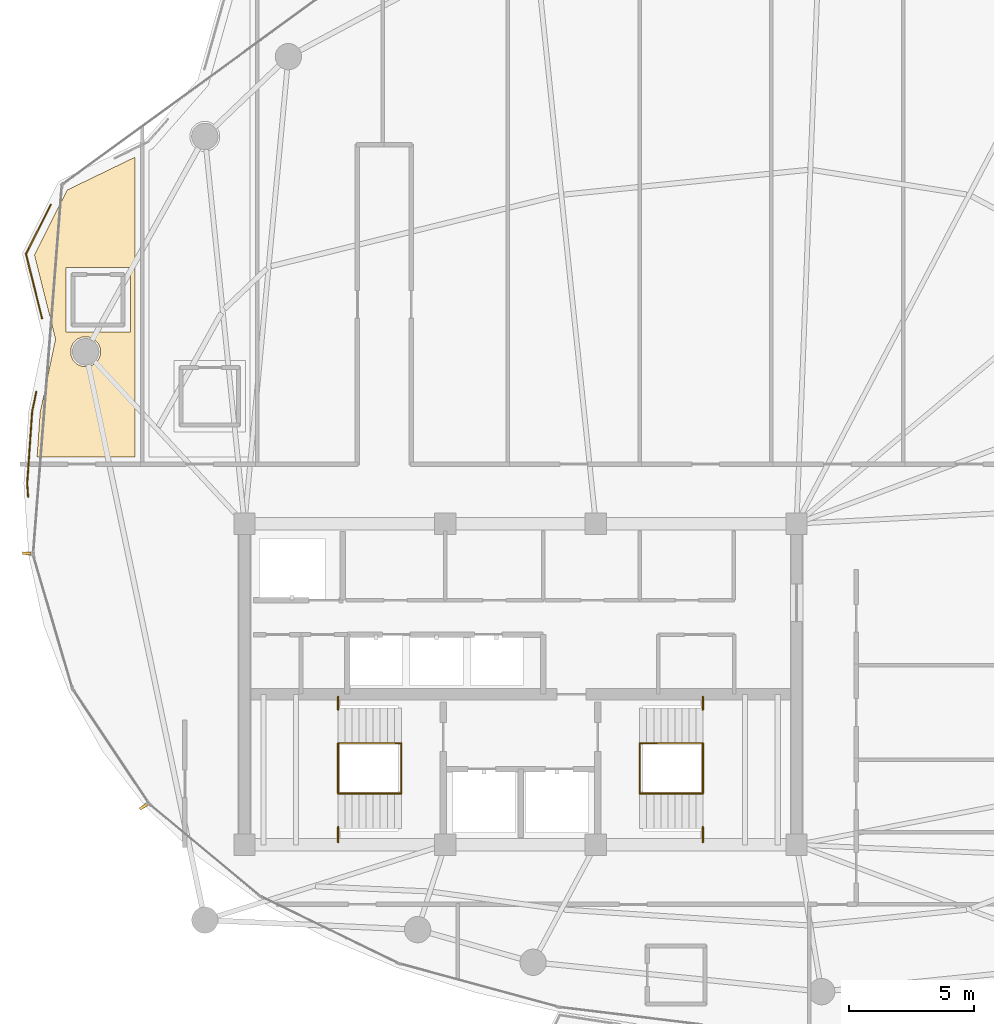
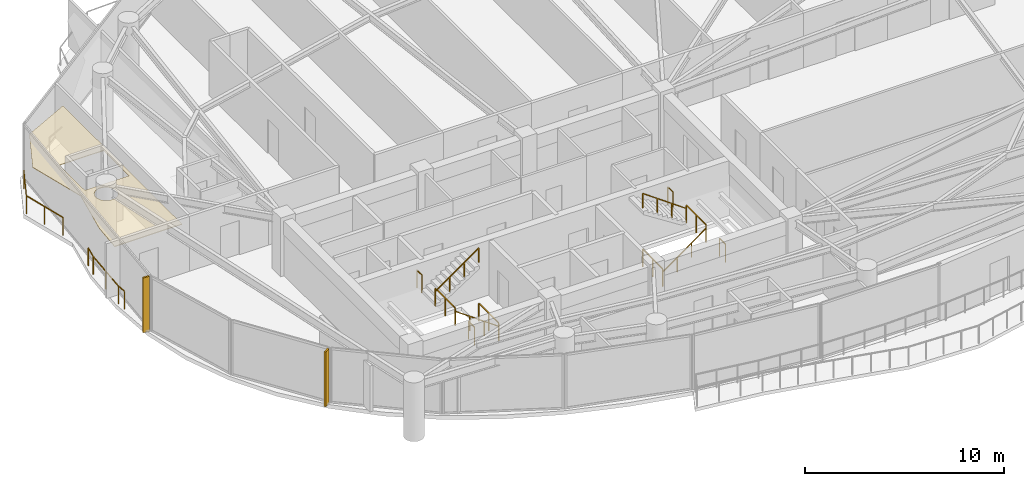
# One storey, part 29 of 31: 14 railings, 2 shading devices, 1 covering.
"""IFC4 building model written with IfcOpenShell, lengths in metres."""

from ifc_helpers import new_model, si_unit, direction, frame, origin, origin_2d, place, context, subcontext, project, spatial, polyline, rectangle, outline, extrude, material, layer, layer_set, type_object, element, save


model = new_model("IFC4")

# Units and contexts
model_context = context("Model", 3, precision=1e-05, world=origin(), true_north=direction((0.0, 1.0)))
body_context = subcontext(model_context, "Body", "Model", "MODEL_VIEW")
ifc_project = project(units=[si_unit("LENGTHUNIT", "METRE"), si_unit("AREAUNIT", "SQUARE_METRE"), si_unit("VOLUMEUNIT", "CUBIC_METRE"), si_unit("PLANEANGLEUNIT", "RADIAN"), si_unit("MASSUNIT", "GRAM", prefix="KILO")], contexts=[model_context])

# Site, building, storey
site_placement = place(None, origin())
site = spatial("IfcSite", under=ifc_project, at=site_placement, CompositionType="ELEMENT")
building_placement = place(site_placement, origin())
building = spatial("IfcBuilding", under=site, at=building_placement, Name="Kazevale Care Tower and Concert Hall", CompositionType="ELEMENT")
storey_placement = place(building_placement, frame((0.0, 0.0, 238.800048828125)))
storey = spatial("IfcBuildingStorey", under=building, at=storey_placement, Name="L63", CompositionType="ELEMENT", Elevation=238.800048828125)

# Covering
ifc_material_1 = material(Name="Acoustic Plaster and Hinoki Wood", Category="wood")
ifc_layer = layer(ifc_material_1, 0.0400390625)
ifc_layer_set = layer_set([ifc_layer], Name="Acoustic Plaster and Hinoki Wood")
covering_type = type_object("IfcCoveringType", Name="Acoustic Perforated Wood-Gypsum Ceiling", PredefinedType="CEILING", material=ifc_layer_set)
covering_placement = place(storey_placement, frame((0.0, 0.0, 2.7099609375)))
element("IfcCovering", 1, at=covering_placement, inside=storey, type_object=covering_type, Name="clg:L63:1", PredefinedType="CEILING", context=body_context, shape_type="SweptSolid", body=[
    extrude(outline(polyline([(14.93310546875, 49.694091796875), (17.639892578125, 51.0048828125), (17.639892578125, 39.054931640625), (13.73388671875, 39.054931640625), (13.85693359375, 40.824951171875), (14.468994140625, 43.75), (13.632080078125, 47.111083984375), (14.93310546875, 49.694091796875)]), holes=[polyline([(14.887939453125, 46.60498046875), (14.887939453125, 44.044921875), (17.447998046875, 44.044921875), (17.447998046875, 46.60498046875), (14.887939453125, 46.60498046875)]), polyline([(16.262939453125, 43.367919921875), (16.173095703125, 43.5859375), (16.006103515625, 43.7529296875), (15.7880859375, 43.843017578125), (15.552001953125, 43.843017578125), (15.333984375, 43.7529296875), (15.1669921875, 43.5859375), (15.076904296875, 43.367919921875), (15.076904296875, 43.132080078125), (15.1669921875, 42.9140625), (15.333984375, 42.7470703125), (15.552001953125, 42.656982421875), (15.7880859375, 42.656982421875), (16.006103515625, 42.7470703125), (16.173095703125, 42.9140625), (16.262939453125, 43.132080078125), (16.262939453125, 43.367919921875)])]), origin(), (0.0, 0.0, 1.0), 0.0400390625),
])

# Railings
ifc_material_2 = material(Name="Anodised Bronze Aluminium and Laminated Glass", Category="aluminium")
railing_type_1 = type_object("IfcRailingType", Name="Balcony and Terrace Balustrade 1120", PredefinedType="BALUSTRADE", material=ifc_material_2)
railing_1_placement = place(storey_placement, frame((13.3779296875, 37.467041015625, 0.0)))
element("IfcRailing", 2, at=railing_1_placement, inside=storey, type_object=railing_type_1, Name="rail:L63:perim:1", PredefinedType="BALUSTRADE", context=body_context, shape_type="SweptSolid", body=[
    extrude(rectangle(XDim=0.048095703125, YDim=0.048095703125, at=origin_2d()), frame((0.0, 0.0, 1.09619140625), z_axis=(-0.070824900757, 0.997488763562, 0.0), x_axis=(-0.997488763562, -0.070824900757, 0.0)), (0.0, 0.0, 1.0), 0.5341796875),
    extrude(rectangle(XDim=0.048095703125, YDim=0.048095703125, at=origin_2d()), frame((-0.037841796875, 0.532958984375, 1.09619140625), z_axis=(0.069189590327, 0.997603528758, 0.0), x_axis=(-0.997603528758, 0.069189590327, 0.0)), (0.0, 0.0, 1.0), 2.875732421875),
    extrude(rectangle(XDim=0.048095703125, YDim=0.048095703125, at=origin_2d()), frame((0.1611328125, 3.40185546875, 1.09619140625), z_axis=(0.204489697566, 0.978868716218, 0.0), x_axis=(-0.978868716218, 0.204489697566, 0.0)), (0.0, 0.0, 1.0), 0.801025390625),
    extrude(rectangle(XDim=0.0419921875, YDim=0.0419921875, at=origin_2d()), origin(), (0.0, 0.0, 1.0), 1.072021484375),
    extrude(rectangle(XDim=0.0419921875, YDim=0.0419921875, at=origin_2d()), frame((-0.037841796875, 0.532958984375, 0.0)), (0.0, 0.0, 1.0), 1.072021484375),
    extrude(rectangle(XDim=0.0419921875, YDim=0.0419921875, at=origin_2d()), frame((0.0615234375, 1.96728515625, 0.0)), (0.0, 0.0, 1.0), 1.072021484375),
    extrude(rectangle(XDim=0.0419921875, YDim=0.0419921875, at=origin_2d()), frame((0.1611328125, 3.40185546875, 0.0)), (0.0, 0.0, 1.0), 1.072021484375),
    extrude(rectangle(XDim=0.0419921875, YDim=0.0419921875, at=origin_2d()), frame((0.324951171875, 4.18603515625, 0.0)), (0.0, 0.0, 1.0), 1.072021484375),
])
railing_2_placement = place(storey_placement, frame((13.930908203125, 44.5849609375, 0.0)))
element("IfcRailing", 3, at=railing_2_placement, inside=storey, type_object=railing_type_1, Name="rail:L63:perim:2", PredefinedType="BALUSTRADE", context=body_context, shape_type="SweptSolid", body=[
    extrude(rectangle(XDim=0.048095703125, YDim=0.048095703125, at=origin_2d()), frame((0.0, 0.0, 1.09619140625), z_axis=(-0.241796398664, 0.970327007556, 0.0), x_axis=(-0.970327007556, -0.241796398664, 0.0)), (0.0, 0.0, 1.0), 2.642333984375),
    extrude(rectangle(XDim=0.048095703125, YDim=0.048095703125, at=origin_2d()), frame((-0.638916015625, 2.56396484375, 1.09619140625), z_axis=(0.450269666924, 0.892892617871, 0.0), x_axis=(-0.892892617871, 0.450269666924, 0.0)), (0.0, 0.0, 1.0), 2.202880859375),
    extrude(rectangle(XDim=0.0419921875, YDim=0.0419921875, at=origin_2d()), origin(), (0.0, 0.0, 1.0), 1.072021484375),
    extrude(rectangle(XDim=0.0419921875, YDim=0.0419921875, at=origin_2d()), frame((-0.3193359375, 1.281982421875, 0.0)), (0.0, 0.0, 1.0), 1.072021484375),
    extrude(rectangle(XDim=0.0419921875, YDim=0.0419921875, at=origin_2d()), frame((-0.638916015625, 2.56396484375, 0.0)), (0.0, 0.0, 1.0), 1.072021484375),
    extrude(rectangle(XDim=0.0419921875, YDim=0.0419921875, at=origin_2d()), frame((0.35302734375, 4.531005859375, 0.0)), (0.0, 0.0, 1.0), 1.072021484375),
])
ifc_material_3 = material(Name="Stainless Steel 316", Category="steel")
railing_type_2 = type_object("IfcRailingType", Name="Stair Pitch Handrail 920", PredefinedType="HANDRAIL", material=ifc_material_3)
railing_3_placement = place(storey_placement, frame((28.25, 25.64990234375, 0.0)))
element("IfcRailing", 4, at=railing_3_placement, inside=storey, type_object=railing_type_2, Name="stair:L63:ST1:hr1", PredefinedType="HANDRAIL", context=body_context, shape_type="SweptSolid", body=[
    extrude(rectangle(XDim=0.048095703125, YDim=0.048095703125, at=origin_2d()), frame((0.0, 0.0, 0.89599609375), z_axis=(-0.813728144527, 0.0, 0.581245650998), x_axis=(0.0, -1.0, 0.0)), (0.0, 0.0, 1.0), 3.096923828125),
    extrude(rectangle(XDim=0.0419921875, YDim=0.0419921875, at=origin_2d()), origin(), (0.0, 0.0, 1.0), 0.871826171875),
    extrude(rectangle(XDim=0.0419921875, YDim=0.0419921875, at=origin_2d()), frame((-0.840087890625, 0.0, 0.60009765625)), (0.0, 0.0, 1.0), 0.871826171875),
    extrude(rectangle(XDim=0.0419921875, YDim=0.0419921875, at=origin_2d()), frame((-1.679931640625, 0.0, 1.199951171875)), (0.0, 0.0, 1.0), 0.871826171875),
    extrude(rectangle(XDim=0.0419921875, YDim=0.0419921875, at=origin_2d()), frame((-2.52001953125, 0.0, 1.800048828125)), (0.0, 0.0, 1.0), 0.871826171875),
])
railing_4_placement = place(storey_placement, frame((25.72998046875, 27.64990234375, 1.800048828125)))
element("IfcRailing", 5, at=railing_4_placement, inside=storey, type_object=railing_type_2, Name="stair:L63:ST1:hr2", PredefinedType="HANDRAIL", context=body_context, shape_type="SweptSolid", body=[
    extrude(rectangle(XDim=0.048095703125, YDim=0.048095703125, at=origin_2d()), frame((0.0, 0.0, 0.89599609375), z_axis=(0.813765431312, 0.0, 0.581193446971), x_axis=(0.0, 1.0, 0.0)), (0.0, 0.0, 1.0), 3.0966796875),
    extrude(rectangle(XDim=0.0419921875, YDim=0.0419921875, at=origin_2d()), origin(), (0.0, 0.0, 1.0), 0.871826171875),
    extrude(rectangle(XDim=0.0419921875, YDim=0.0419921875, at=origin_2d()), frame((0.840087890625, 0.0, 0.599853515625)), (0.0, 0.0, 1.0), 0.871826171875),
    extrude(rectangle(XDim=0.0419921875, YDim=0.0419921875, at=origin_2d()), frame((1.679931640625, 0.0, 1.199951171875)), (0.0, 0.0, 1.0), 0.871826171875),
    extrude(rectangle(XDim=0.0419921875, YDim=0.0419921875, at=origin_2d()), frame((2.52001953125, 0.0, 1.7998046875)), (0.0, 0.0, 1.0), 0.871826171875),
])
railing_5_placement = place(storey_placement, frame((37.75, 25.64990234375, 0.0)))
element("IfcRailing", 6, at=railing_5_placement, inside=storey, type_object=railing_type_2, Name="stair:L63:ST2:hr1", PredefinedType="HANDRAIL", context=body_context, shape_type="SweptSolid", body=[
    extrude(rectangle(XDim=0.048095703125, YDim=0.048095703125, at=origin_2d()), frame((0.0, 0.0, 0.89599609375), z_axis=(0.813728144527, 0.0, 0.581245650998), x_axis=(0.0, 1.0, 0.0)), (0.0, 0.0, 1.0), 3.096923828125),
    extrude(rectangle(XDim=0.0419921875, YDim=0.0419921875, at=origin_2d()), origin(), (0.0, 0.0, 1.0), 0.871826171875),
    extrude(rectangle(XDim=0.0419921875, YDim=0.0419921875, at=origin_2d()), frame((0.840087890625, 0.0, 0.60009765625)), (0.0, 0.0, 1.0), 0.871826171875),
    extrude(rectangle(XDim=0.0419921875, YDim=0.0419921875, at=origin_2d()), frame((1.679931640625, 0.0, 1.199951171875)), (0.0, 0.0, 1.0), 0.871826171875),
    extrude(rectangle(XDim=0.0419921875, YDim=0.0419921875, at=origin_2d()), frame((2.52001953125, 0.0, 1.800048828125)), (0.0, 0.0, 1.0), 0.871826171875),
])
railing_6_placement = place(storey_placement, frame((40.27001953125, 27.64990234375, 1.800048828125)))
element("IfcRailing", 7, at=railing_6_placement, inside=storey, type_object=railing_type_2, Name="stair:L63:ST2:hr2", PredefinedType="HANDRAIL", context=body_context, shape_type="SweptSolid", body=[
    extrude(rectangle(XDim=0.048095703125, YDim=0.048095703125, at=origin_2d()), frame((0.0, 0.0, 0.89599609375), z_axis=(-0.813765431312, 0.0, 0.581193446971), x_axis=(0.0, -1.0, 0.0)), (0.0, 0.0, 1.0), 3.0966796875),
    extrude(rectangle(XDim=0.0419921875, YDim=0.0419921875, at=origin_2d()), origin(), (0.0, 0.0, 1.0), 0.871826171875),
    extrude(rectangle(XDim=0.0419921875, YDim=0.0419921875, at=origin_2d()), frame((-0.840087890625, 0.0, 0.599853515625)), (0.0, 0.0, 1.0), 0.871826171875),
    extrude(rectangle(XDim=0.0419921875, YDim=0.0419921875, at=origin_2d()), frame((-1.679931640625, 0.0, 1.199951171875)), (0.0, 0.0, 1.0), 0.871826171875),
    extrude(rectangle(XDim=0.0419921875, YDim=0.0419921875, at=origin_2d()), frame((-2.52001953125, 0.0, 1.7998046875)), (0.0, 0.0, 1.0), 0.871826171875),
])
railing_type_3 = type_object("IfcRailingType", Name="Stair Well Guard Balustrade 1120", PredefinedType="BALUSTRADE", material=ifc_material_3)
railing_7_placement = place(storey_placement, frame((25.72998046875, 23.699951171875, 1.800048828125)))
element("IfcRailing", 8, at=railing_7_placement, inside=storey, type_object=railing_type_3, Name="stair:L63:ST1:grd_side1", PredefinedType="BALUSTRADE", context=body_context, shape_type="SweptSolid", body=[
    extrude(rectangle(XDim=0.048095703125, YDim=0.048095703125, at=origin_2d()), frame((0.0, 0.0, 1.09619140625), z_axis=(0.0, 1.0, 0.0), x_axis=(-1.0, 0.0, 0.0)), (0.0, 0.0, 1.0), 0.610107421875),
    extrude(rectangle(XDim=0.0419921875, YDim=0.0419921875, at=origin_2d()), origin(), (0.0, 0.0, 1.0), 1.072021484375),
    extrude(rectangle(XDim=0.0419921875, YDim=0.0419921875, at=origin_2d()), frame((0.0, 0.610107421875, 0.0)), (0.0, 0.0, 1.0), 1.072021484375),
])
railing_8_placement = place(storey_placement, frame((25.72998046875, 28.989990234375, 1.800048828125)))
element("IfcRailing", 9, at=railing_8_placement, inside=storey, type_object=railing_type_3, Name="stair:L63:ST1:grd_side2", PredefinedType="BALUSTRADE", context=body_context, shape_type="SweptSolid", body=[
    extrude(rectangle(XDim=0.048095703125, YDim=0.048095703125, at=origin_2d()), frame((0.0, 0.0, 1.09619140625), z_axis=(0.0, 1.0, 0.0), x_axis=(-1.0, 0.0, 0.0)), (0.0, 0.0, 1.0), 0.510009765625),
    extrude(rectangle(XDim=0.0419921875, YDim=0.0419921875, at=origin_2d()), origin(), (0.0, 0.0, 1.0), 1.072021484375),
    extrude(rectangle(XDim=0.0419921875, YDim=0.0419921875, at=origin_2d()), frame((0.0, 0.510009765625, 0.0)), (0.0, 0.0, 1.0), 1.072021484375),
])
for number, where, name in (
    (10, (25.72998046875, 25.64990234375, 1.800048828125), "stair:L63:ST1:grd_mid"),
    (11, (28.25, 25.64990234375, 0.0), "stair:L63:ST1:grd_flr"),
):
    element("IfcRailing", number, at=place(storey_placement, frame(where)), inside=storey, type_object=railing_type_3, Name=name, PredefinedType="BALUSTRADE", context=body_context, shape_type="SweptSolid", body=[
        extrude(rectangle(XDim=0.048095703125, YDim=0.048095703125, at=origin_2d()), frame((0.0, 0.0, 1.09619140625), z_axis=(0.0, 1.0, 0.0), x_axis=(-1.0, 0.0, 0.0)), (0.0, 0.0, 1.0), 2.0),
        extrude(rectangle(XDim=0.0419921875, YDim=0.0419921875, at=origin_2d()), origin(), (0.0, 0.0, 1.0), 1.072021484375),
        extrude(rectangle(XDim=0.0419921875, YDim=0.0419921875, at=origin_2d()), frame((0.0, 1.0, 0.0)), (0.0, 0.0, 1.0), 1.072021484375),
        extrude(rectangle(XDim=0.0419921875, YDim=0.0419921875, at=origin_2d()), frame((0.0, 2.0, 0.0)), (0.0, 0.0, 1.0), 1.072021484375),
    ])
railing_9_placement = place(storey_placement, frame((40.27001953125, 23.699951171875, 1.800048828125)))
element("IfcRailing", 12, at=railing_9_placement, inside=storey, type_object=railing_type_3, Name="stair:L63:ST2:grd_side1", PredefinedType="BALUSTRADE", context=body_context, shape_type="SweptSolid", body=[
    extrude(rectangle(XDim=0.048095703125, YDim=0.048095703125, at=origin_2d()), frame((0.0, 0.0, 1.09619140625), z_axis=(0.0, 1.0, 0.0), x_axis=(-1.0, 0.0, 0.0)), (0.0, 0.0, 1.0), 0.610107421875),
    extrude(rectangle(XDim=0.0419921875, YDim=0.0419921875, at=origin_2d()), origin(), (0.0, 0.0, 1.0), 1.072021484375),
    extrude(rectangle(XDim=0.0419921875, YDim=0.0419921875, at=origin_2d()), frame((0.0, 0.610107421875, 0.0)), (0.0, 0.0, 1.0), 1.072021484375),
])
railing_10_placement = place(storey_placement, frame((40.27001953125, 28.989990234375, 1.800048828125)))
element("IfcRailing", 13, at=railing_10_placement, inside=storey, type_object=railing_type_3, Name="stair:L63:ST2:grd_side2", PredefinedType="BALUSTRADE", context=body_context, shape_type="SweptSolid", body=[
    extrude(rectangle(XDim=0.048095703125, YDim=0.048095703125, at=origin_2d()), frame((0.0, 0.0, 1.09619140625), z_axis=(0.0, 1.0, 0.0), x_axis=(-1.0, 0.0, 0.0)), (0.0, 0.0, 1.0), 0.510009765625),
    extrude(rectangle(XDim=0.0419921875, YDim=0.0419921875, at=origin_2d()), origin(), (0.0, 0.0, 1.0), 1.072021484375),
    extrude(rectangle(XDim=0.0419921875, YDim=0.0419921875, at=origin_2d()), frame((0.0, 0.510009765625, 0.0)), (0.0, 0.0, 1.0), 1.072021484375),
])
for number, where, name in (
    (14, (40.27001953125, 25.64990234375, 1.800048828125), "stair:L63:ST2:grd_mid"),
    (15, (37.75, 25.64990234375, 0.0), "stair:L63:ST2:grd_flr"),
):
    element("IfcRailing", number, at=place(storey_placement, frame(where)), inside=storey, type_object=railing_type_3, Name=name, PredefinedType="BALUSTRADE", context=body_context, shape_type="SweptSolid", body=[
        extrude(rectangle(XDim=0.048095703125, YDim=0.048095703125, at=origin_2d()), frame((0.0, 0.0, 1.09619140625), z_axis=(0.0, 1.0, 0.0), x_axis=(-1.0, 0.0, 0.0)), (0.0, 0.0, 1.0), 2.0),
        extrude(rectangle(XDim=0.0419921875, YDim=0.0419921875, at=origin_2d()), origin(), (0.0, 0.0, 1.0), 1.072021484375),
        extrude(rectangle(XDim=0.0419921875, YDim=0.0419921875, at=origin_2d()), frame((0.0, 1.0, 0.0)), (0.0, 0.0, 1.0), 1.072021484375),
        extrude(rectangle(XDim=0.0419921875, YDim=0.0419921875, at=origin_2d()), frame((0.0, 2.0, 0.0)), (0.0, 0.0, 1.0), 1.072021484375),
    ])

# Shading devices
ifc_material_4 = material(Name="Anodised Bronze Aluminium", Category="aluminium")
shading_device_type = type_object("IfcShadingDeviceType", Name="Waist Anodised Bronze-Stone Fin FIN-02", PredefinedType="USERDEFINED", material=ifc_material_4)
for number, where, z_axis, x_axis, name in (
    (16, (17.972900390625, 25.121337890625, 0.0), (0.0, 0.0, 1.0), (-0.832147748683, -0.554553986878, 0.0), "cw:L63:f11:fin"),
    (17, (13.326904296875, 35.216796875, 0.0), (0.0, 0.0, 1.0), (-0.996985422604, 0.077589091471, 0.0), "cw:L63:f13:fin"),
):
    element("IfcShadingDevice", number, at=place(storey_placement, frame(where, z_axis=z_axis, x_axis=x_axis)), inside=storey, type_object=shading_device_type, Name=name, ObjectType="FIN", PredefinedType="USERDEFINED", context=body_context, shape_type="SweptSolid", body=[
        extrude(rectangle(XDim=0.340087890625, YDim=0.10009765625, at=origin_2d()), origin(), (0.0, 0.0, 1.0), 3.360107421875),
    ])

save(model, "model.ifc")
